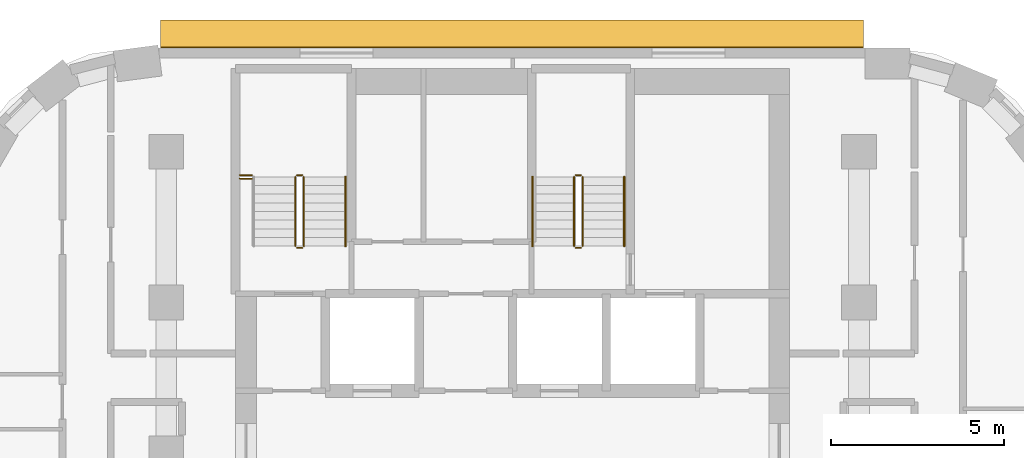
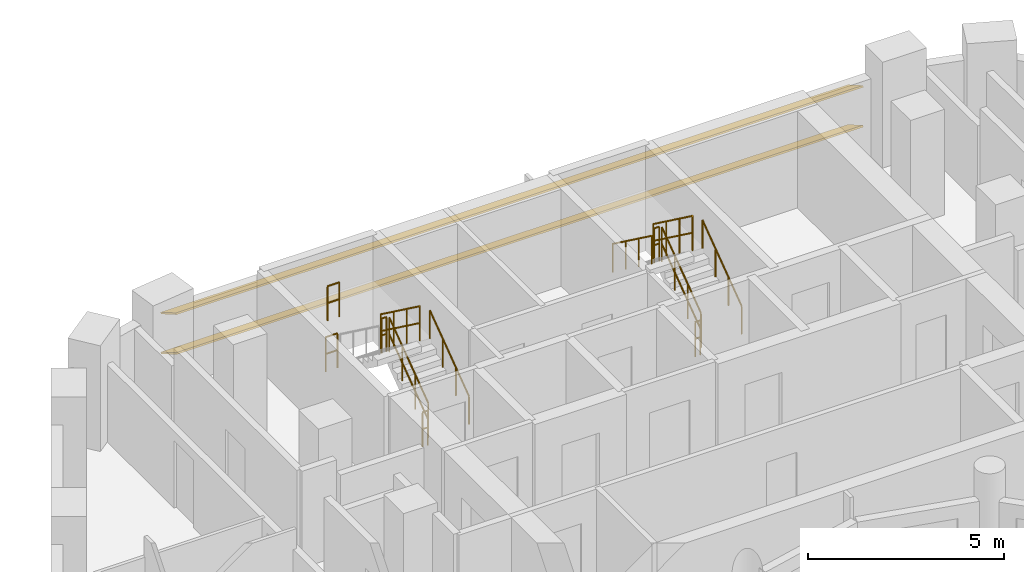
# One storey, part 13 of 13: 13 railings, 2 shading devices.
"""IFC4 building model written with IfcOpenShell, lengths in metres."""

from ifc_helpers import new_model, si_unit, direction, frame, origin, origin_2d, place, context, subcontext, project, spatial, rectangle, circle, extrude, material, material_profile, profile_set, type_object, element, save


model = new_model("IFC4")

# Units and contexts
model_context = context("Model", 3, precision=1e-05, world=origin(), true_north=direction((0.0, 1.0)))
body_context = subcontext(model_context, "Body", "Model", "MODEL_VIEW")
ifc_project = project(units=[si_unit("LENGTHUNIT", "METRE"), si_unit("AREAUNIT", "SQUARE_METRE"), si_unit("VOLUMEUNIT", "CUBIC_METRE"), si_unit("PLANEANGLEUNIT", "RADIAN"), si_unit("MASSUNIT", "GRAM", prefix="KILO")], contexts=[model_context])

# Site, building, storey
site_placement = place(None, origin())
site = spatial("IfcSite", under=ifc_project, at=site_placement, CompositionType="ELEMENT")
building_placement = place(site_placement, origin())
building = spatial("IfcBuilding", under=site, at=building_placement, Name="Nakaniwa Court", CompositionType="ELEMENT")
storey_placement = place(building_placement, frame((0.0, 0.0, 130.5)))
storey = spatial("IfcBuildingStorey", under=building, at=storey_placement, Name="L33", CompositionType="ELEMENT", Elevation=130.5)

# Shading devices
ifc_material_1 = material(Name="Perforated charcoal ceramic louvre blade")
ifc_material_profile = material_profile(ifc_material_1, rectangle(XDim=0.89990234375, YDim=0.050048828125, at=origin_2d()), Name="Perforated ceramic louvre blade")
ifc_profile_set = profile_set([ifc_material_profile], Name="Perforated charcoal ceramic louvre blade")
shading_device_type = type_object("IfcShadingDeviceType", Name="Perforated ceramic louvre blade", PredefinedType="JALOUSIE", material=ifc_profile_set)
for number, where, z_axis, x_axis, name in (
    (1, (90.128662109375, 104.402099609375, 0.550048828125), (-1.0, 0.0, 0.0), (0.0, -0.866025403784, 0.5), "L33 perforated ceramic louvre blade w08 1"),
    (2, (90.128662109375, 104.402099609375, 1.793212890625), (-1.0, 0.0, 0.0), (0.0, -0.866025403784, 0.5), "L33 perforated ceramic louvre blade w08 2"),
):
    element("IfcShadingDevice", number, at=place(storey_placement, frame(where, z_axis=z_axis, x_axis=x_axis)), inside=storey, type_object=shading_device_type, Name=name, PredefinedType="JALOUSIE", context=body_context, shape_type="SweptSolid", body=[
        extrude(rectangle(XDim=0.89990234375, YDim=0.050048828125, at=origin_2d()), origin(), (0.0, 0.0, 1.0), 20.291259765625),
    ])

# Railings
ifc_material_2 = material(Name="Black powder coated steel guard", Category="steel")
railing_type_1 = type_object("IfcRailingType", Name="Stair guard 1100", PredefinedType="GUARDRAIL", material=ifc_material_2)
railing_1_placement = place(storey_placement, frame((73.97509765625, 98.27490234375, 0.183349609375)))
element("IfcRailing", 3, at=railing_1_placement, inside=storey, type_object=railing_type_1, Name="L33 ST1 stair guard 1", PredefinedType="GUARDRAIL", context=body_context, shape_type="SweptSolid", body=[
    extrude(circle(Radius=0.02392578125, at=origin_2d()), frame((0.0, 0.0, 1.076171875), z_axis=(0.0, 0.806426902644, 0.591333789573), x_axis=(-1.0, 0.0, 0.0)), (0.0, 0.0, 1.0), 2.47998046875),
    extrude(circle(Radius=0.02392578125, at=origin_2d()), frame((0.0, 0.0, 0.550048828125), z_axis=(0.0, 0.806426902644, 0.591333789573), x_axis=(-1.0, 0.0, 0.0)), (0.0, 0.0, 1.0), 2.47998046875),
    extrude(circle(Radius=0.02099609375, at=origin_2d()), origin(), (0.0, 0.0, 1.0), 1.052001953125),
    extrude(circle(Radius=0.02099609375, at=origin_2d()), frame((0.0, 0.666748046875, 0.48876953125)), (0.0, 0.0, 1.0), 1.052001953125),
    extrude(circle(Radius=0.02099609375, at=origin_2d()), frame((0.0, 1.333251953125, 0.977783203125)), (0.0, 0.0, 1.0), 1.052001953125),
    extrude(circle(Radius=0.02099609375, at=origin_2d()), frame((0.0, 2.0, 1.466552734375)), (0.0, 0.0, 1.0), 1.052001953125),
])
railing_2_placement = place(storey_placement, frame((73.925048828125, 100.324951171875, 1.64990234375)))
element("IfcRailing", 4, at=railing_2_placement, inside=storey, type_object=railing_type_1, Name="L33 ST1 stair guard 2", PredefinedType="GUARDRAIL", context=body_context, shape_type="SweptSolid", body=[
    extrude(circle(Radius=0.02392578125, at=origin_2d()), frame((0.0, 0.0, 1.076171875), z_axis=(-1.0, 0.0, 0.0), x_axis=(0.0, -1.0, 0.0)), (0.0, 0.0, 1.0), 0.150146484375),
    extrude(circle(Radius=0.02392578125, at=origin_2d()), frame((0.0, 0.0, 0.550048828125), z_axis=(-1.0, 0.0, 0.0), x_axis=(0.0, -1.0, 0.0)), (0.0, 0.0, 1.0), 0.150146484375),
    extrude(circle(Radius=0.02099609375, at=origin_2d()), origin(), (0.0, 0.0, 1.0), 1.052001953125),
    extrude(circle(Radius=0.02099609375, at=origin_2d()), frame((-0.150146484375, 0.0, 0.0)), (0.0, 0.0, 1.0), 1.052001953125),
])
railing_3_placement = place(storey_placement, frame((73.72509765625, 100.27490234375, 1.833251953125)))
element("IfcRailing", 5, at=railing_3_placement, inside=storey, type_object=railing_type_1, Name="L33 ST1 stair guard 3", PredefinedType="GUARDRAIL", context=body_context, shape_type="SweptSolid", body=[
    extrude(circle(Radius=0.02392578125, at=origin_2d()), frame((0.0, 0.0, 1.076171875), z_axis=(0.0, -0.806379959628, 0.591397802423), x_axis=(1.0, 0.0, 0.0)), (0.0, 0.0, 1.0), 2.480224609375),
    extrude(circle(Radius=0.02392578125, at=origin_2d()), frame((0.0, 0.0, 0.550048828125), z_axis=(0.0, -0.806379959628, 0.591397802423), x_axis=(1.0, 0.0, 0.0)), (0.0, 0.0, 1.0), 2.480224609375),
    extrude(circle(Radius=0.02099609375, at=origin_2d()), origin(), (0.0, 0.0, 1.0), 1.052001953125),
    extrude(circle(Radius=0.02099609375, at=origin_2d()), frame((0.0, -0.666748046875, 0.489013671875)), (0.0, 0.0, 1.0), 1.052001953125),
    extrude(circle(Radius=0.02099609375, at=origin_2d()), frame((0.0, -1.333251953125, 0.977783203125)), (0.0, 0.0, 1.0), 1.052001953125),
    extrude(circle(Radius=0.02099609375, at=origin_2d()), frame((0.0, -2.0, 1.466796875)), (0.0, 0.0, 1.0), 1.052001953125),
])
railing_4_placement = place(storey_placement, frame((73.925048828125, 98.22509765625, 0.0)))
element("IfcRailing", 6, at=railing_4_placement, inside=storey, type_object=railing_type_1, Name="L33 ST1 stair guard 4", PredefinedType="GUARDRAIL", context=body_context, shape_type="SweptSolid", body=[
    extrude(circle(Radius=0.02392578125, at=origin_2d()), frame((0.0, 0.0, 1.076171875), z_axis=(-1.0, 0.0, 0.0), x_axis=(0.0, -1.0, 0.0)), (0.0, 0.0, 1.0), 0.150146484375),
    extrude(circle(Radius=0.02392578125, at=origin_2d()), frame((0.0, 0.0, 0.550048828125), z_axis=(-1.0, 0.0, 0.0), x_axis=(0.0, -1.0, 0.0)), (0.0, 0.0, 1.0), 0.150146484375),
    extrude(circle(Radius=0.02099609375, at=origin_2d()), origin(), (0.0, 0.0, 1.0), 1.052001953125),
    extrude(circle(Radius=0.02099609375, at=origin_2d()), frame((-0.150146484375, 0.0, 0.0)), (0.0, 0.0, 1.0), 1.052001953125),
])
for number, where, name in (
    (7, (72.125, 100.324951171875, 1.64990234375), "L33 ST1 landing side guard 1W"),
    (8, (72.125, 100.22509765625, 3.300048828125), "L33 ST1 floor edge guard 1W"),
):
    element("IfcRailing", number, at=place(storey_placement, frame(where)), inside=storey, type_object=railing_type_1, Name=name, PredefinedType="GUARDRAIL", context=body_context, shape_type="SweptSolid", body=[
        extrude(circle(Radius=0.02392578125, at=origin_2d()), frame((0.0, 0.0, 1.076171875), z_axis=(1.0, 0.0, 0.0), x_axis=(0.0, 1.0, 0.0)), (0.0, 0.0, 1.0), 0.35009765625),
        extrude(circle(Radius=0.02392578125, at=origin_2d()), frame((0.0, 0.0, 0.550048828125), z_axis=(1.0, 0.0, 0.0), x_axis=(0.0, 1.0, 0.0)), (0.0, 0.0, 1.0), 0.35009765625),
        extrude(circle(Radius=0.02099609375, at=origin_2d()), origin(), (0.0, 0.0, 1.0), 1.052001953125),
        extrude(circle(Radius=0.02099609375, at=origin_2d()), frame((0.35009765625, 0.0, 0.0)), (0.0, 0.0, 1.0), 1.052001953125),
    ])
railing_5_placement = place(storey_placement, frame((82.02490234375, 98.27490234375, 0.183349609375)))
element("IfcRailing", 9, at=railing_5_placement, inside=storey, type_object=railing_type_1, Name="L33 ST2 stair guard 1", PredefinedType="GUARDRAIL", context=body_context, shape_type="SweptSolid", body=[
    extrude(circle(Radius=0.02392578125, at=origin_2d()), frame((0.0, 0.0, 1.076171875), z_axis=(0.0, 0.806426902644, 0.591333789573), x_axis=(-1.0, 0.0, 0.0)), (0.0, 0.0, 1.0), 2.47998046875),
    extrude(circle(Radius=0.02392578125, at=origin_2d()), frame((0.0, 0.0, 0.550048828125), z_axis=(0.0, 0.806426902644, 0.591333789573), x_axis=(-1.0, 0.0, 0.0)), (0.0, 0.0, 1.0), 2.47998046875),
    extrude(circle(Radius=0.02099609375, at=origin_2d()), origin(), (0.0, 0.0, 1.0), 1.052001953125),
    extrude(circle(Radius=0.02099609375, at=origin_2d()), frame((0.0, 0.666748046875, 0.48876953125)), (0.0, 0.0, 1.0), 1.052001953125),
    extrude(circle(Radius=0.02099609375, at=origin_2d()), frame((0.0, 1.333251953125, 0.977783203125)), (0.0, 0.0, 1.0), 1.052001953125),
    extrude(circle(Radius=0.02099609375, at=origin_2d()), frame((0.0, 2.0, 1.466552734375)), (0.0, 0.0, 1.0), 1.052001953125),
])
railing_6_placement = place(storey_placement, frame((81.97509765625, 100.324951171875, 1.64990234375)))
element("IfcRailing", 10, at=railing_6_placement, inside=storey, type_object=railing_type_1, Name="L33 ST2 stair guard 2", PredefinedType="GUARDRAIL", context=body_context, shape_type="SweptSolid", body=[
    extrude(circle(Radius=0.02392578125, at=origin_2d()), frame((0.0, 0.0, 1.076171875), z_axis=(-1.0, 0.0, 0.0), x_axis=(0.0, -1.0, 0.0)), (0.0, 0.0, 1.0), 0.150146484375),
    extrude(circle(Radius=0.02392578125, at=origin_2d()), frame((0.0, 0.0, 0.550048828125), z_axis=(-1.0, 0.0, 0.0), x_axis=(0.0, -1.0, 0.0)), (0.0, 0.0, 1.0), 0.150146484375),
    extrude(circle(Radius=0.02099609375, at=origin_2d()), origin(), (0.0, 0.0, 1.0), 1.052001953125),
    extrude(circle(Radius=0.02099609375, at=origin_2d()), frame((-0.150146484375, 0.0, 0.0)), (0.0, 0.0, 1.0), 1.052001953125),
])
railing_7_placement = place(storey_placement, frame((81.77490234375, 100.27490234375, 1.833251953125)))
element("IfcRailing", 11, at=railing_7_placement, inside=storey, type_object=railing_type_1, Name="L33 ST2 stair guard 3", PredefinedType="GUARDRAIL", context=body_context, shape_type="SweptSolid", body=[
    extrude(circle(Radius=0.02392578125, at=origin_2d()), frame((0.0, 0.0, 1.076171875), z_axis=(0.0, -0.806379959628, 0.591397802423), x_axis=(1.0, 0.0, 0.0)), (0.0, 0.0, 1.0), 2.480224609375),
    extrude(circle(Radius=0.02392578125, at=origin_2d()), frame((0.0, 0.0, 0.550048828125), z_axis=(0.0, -0.806379959628, 0.591397802423), x_axis=(1.0, 0.0, 0.0)), (0.0, 0.0, 1.0), 2.480224609375),
    extrude(circle(Radius=0.02099609375, at=origin_2d()), origin(), (0.0, 0.0, 1.0), 1.052001953125),
    extrude(circle(Radius=0.02099609375, at=origin_2d()), frame((0.0, -0.666748046875, 0.489013671875)), (0.0, 0.0, 1.0), 1.052001953125),
    extrude(circle(Radius=0.02099609375, at=origin_2d()), frame((0.0, -1.333251953125, 0.977783203125)), (0.0, 0.0, 1.0), 1.052001953125),
    extrude(circle(Radius=0.02099609375, at=origin_2d()), frame((0.0, -2.0, 1.466796875)), (0.0, 0.0, 1.0), 1.052001953125),
])
railing_8_placement = place(storey_placement, frame((81.97509765625, 98.22509765625, 0.0)))
element("IfcRailing", 12, at=railing_8_placement, inside=storey, type_object=railing_type_1, Name="L33 ST2 stair guard 4", PredefinedType="GUARDRAIL", context=body_context, shape_type="SweptSolid", body=[
    extrude(circle(Radius=0.02392578125, at=origin_2d()), frame((0.0, 0.0, 1.076171875), z_axis=(-1.0, 0.0, 0.0), x_axis=(0.0, -1.0, 0.0)), (0.0, 0.0, 1.0), 0.150146484375),
    extrude(circle(Radius=0.02392578125, at=origin_2d()), frame((0.0, 0.0, 0.550048828125), z_axis=(-1.0, 0.0, 0.0), x_axis=(0.0, -1.0, 0.0)), (0.0, 0.0, 1.0), 0.150146484375),
    extrude(circle(Radius=0.02099609375, at=origin_2d()), origin(), (0.0, 0.0, 1.0), 1.052001953125),
    extrude(circle(Radius=0.02099609375, at=origin_2d()), frame((-0.150146484375, 0.0, 0.0)), (0.0, 0.0, 1.0), 1.052001953125),
])
ifc_material_3 = material(Name="Black powder coated steel handrail", Category="steel")
railing_type_2 = type_object("IfcRailingType", Name="Stair handrail 900", PredefinedType="HANDRAIL", material=ifc_material_3)
for number, where, name in (
    (13, (75.175048828125, 98.27490234375, 0.183349609375), "L33 ST1 stair handrail 1"),
    (14, (83.22509765625, 98.27490234375, 0.183349609375), "L33 ST2 stair handrail 1"),
):
    element("IfcRailing", number, at=place(storey_placement, frame(where)), inside=storey, type_object=railing_type_2, Name=name, PredefinedType="HANDRAIL", context=body_context, shape_type="SweptSolid", body=[
        extrude(circle(Radius=0.02392578125, at=origin_2d()), frame((0.0, 0.0, 0.8759765625), z_axis=(0.0, 0.806426902644, 0.591333789573), x_axis=(-1.0, 0.0, 0.0)), (0.0, 0.0, 1.0), 2.47998046875),
        extrude(circle(Radius=0.02099609375, at=origin_2d()), origin(), (0.0, 0.0, 1.0), 0.851806640625),
        extrude(circle(Radius=0.02099609375, at=origin_2d()), frame((0.0, 0.666748046875, 0.48876953125)), (0.0, 0.0, 1.0), 0.851806640625),
        extrude(circle(Radius=0.02099609375, at=origin_2d()), frame((0.0, 1.333251953125, 0.977783203125)), (0.0, 0.0, 1.0), 0.851806640625),
        extrude(circle(Radius=0.02099609375, at=origin_2d()), frame((0.0, 2.0, 1.466552734375)), (0.0, 0.0, 1.0), 0.851806640625),
    ])
railing_9_placement = place(storey_placement, frame((80.574951171875, 100.27490234375, 1.833251953125)))
element("IfcRailing", 15, at=railing_9_placement, inside=storey, type_object=railing_type_2, Name="L33 ST2 stair handrail 2", PredefinedType="HANDRAIL", context=body_context, shape_type="SweptSolid", body=[
    extrude(circle(Radius=0.02392578125, at=origin_2d()), frame((0.0, 0.0, 0.8759765625), z_axis=(0.0, -0.806379959628, 0.591397802423), x_axis=(1.0, 0.0, 0.0)), (0.0, 0.0, 1.0), 2.480224609375),
    extrude(circle(Radius=0.02099609375, at=origin_2d()), origin(), (0.0, 0.0, 1.0), 0.851806640625),
    extrude(circle(Radius=0.02099609375, at=origin_2d()), frame((0.0, -0.666748046875, 0.489013671875)), (0.0, 0.0, 1.0), 0.851806640625),
    extrude(circle(Radius=0.02099609375, at=origin_2d()), frame((0.0, -1.333251953125, 0.977783203125)), (0.0, 0.0, 1.0), 0.851806640625),
    extrude(circle(Radius=0.02099609375, at=origin_2d()), frame((0.0, -2.0, 1.466796875)), (0.0, 0.0, 1.0), 0.851806640625),
])

save(model, "model.ifc")
